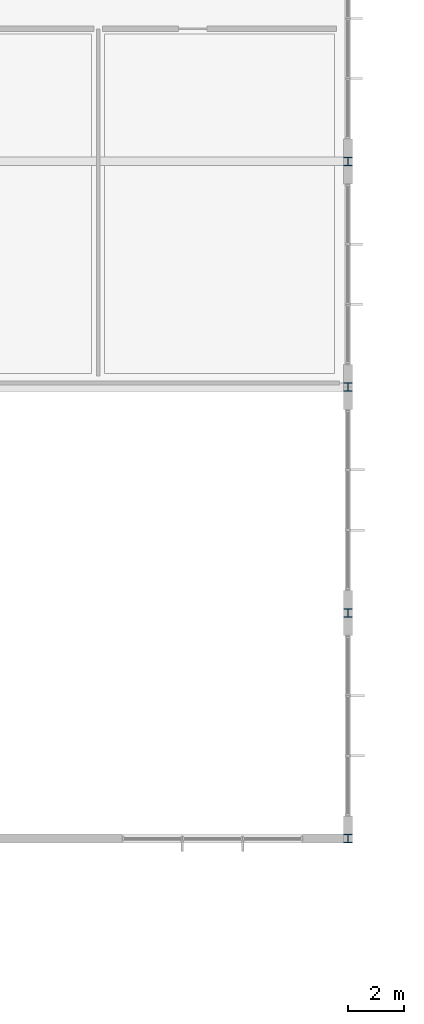
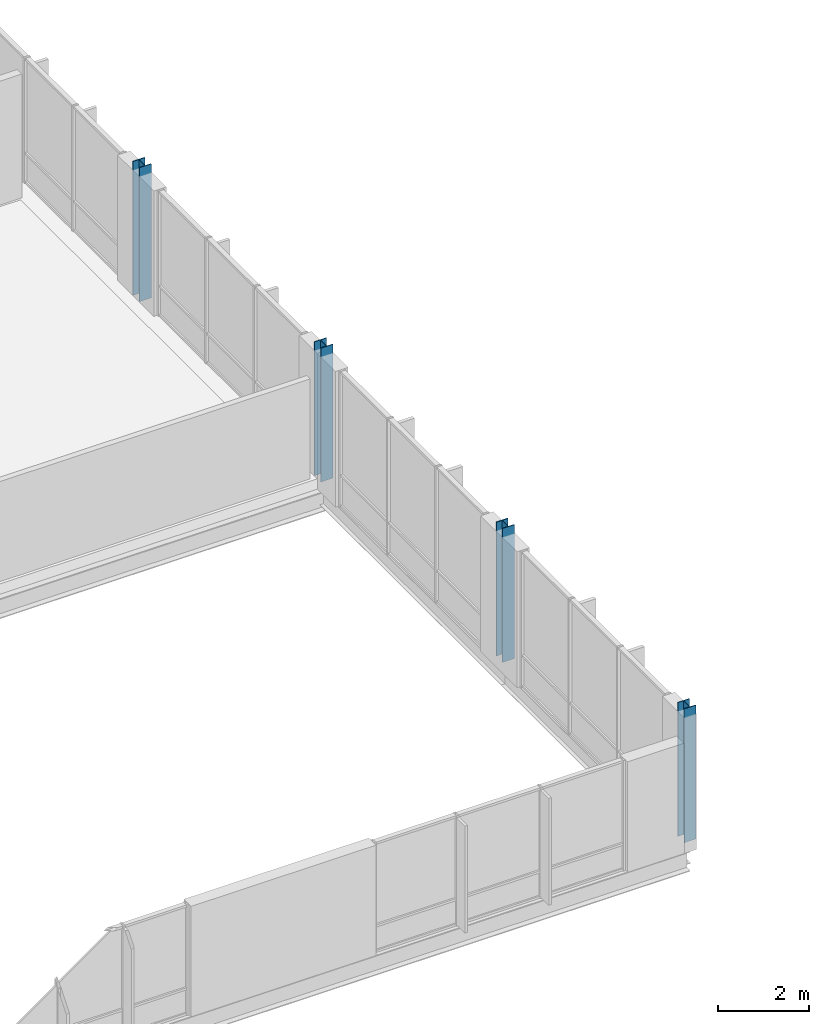
# One storey, part 13 of 189: 4 columns.
"""IFC4 building model written with IfcOpenShell, lengths in metres."""

from ifc_helpers import new_model, si_unit, direction, frame, origin, origin_2d, place, context, subcontext, project, spatial, i_section, extrude, material, material_profile, profile_set, type_object, element, save


model = new_model("IFC4")

# Units and contexts
model_context = context("Model", 3, precision=1e-05, world=origin(), true_north=direction((0.0, 1.0)))
body_context = subcontext(model_context, "Body", "Model", "MODEL_VIEW")
ifc_project = project(units=[si_unit("LENGTHUNIT", "METRE"), si_unit("AREAUNIT", "SQUARE_METRE"), si_unit("VOLUMEUNIT", "CUBIC_METRE"), si_unit("PLANEANGLEUNIT", "RADIAN"), si_unit("MASSUNIT", "GRAM", prefix="KILO")], contexts=[model_context])

# Site, building, storey
site_placement = place(None, origin())
site = spatial("IfcSite", under=ifc_project, at=site_placement, CompositionType="ELEMENT")
building_placement = place(site_placement, origin())
building = spatial("IfcBuilding", under=site, at=building_placement, Name="Zavelmont Quarter", CompositionType="ELEMENT")
storey_placement = place(building_placement, frame((0.0, 0.0, 4.39990234375)))
storey = spatial("IfcBuildingStorey", under=building, at=storey_placement, Name="L01", CompositionType="ELEMENT", Elevation=4.39990234375)

# Columns
ifc_material = material(Name="Steel S355", Category="steel")
ifc_material_profile = material_profile(ifc_material, i_section(OverallWidth=0.300048828125, OverallDepth=0.300048828125, WebThickness=0.010986328125, FlangeThickness=0.01904296875, at=origin_2d()), Name="HEB 300")
ifc_profile_set = profile_set([ifc_material_profile], Name="Steel S355")
column_type = type_object("IfcColumnType", Name="CL10", PredefinedType="COLUMN", material=ifc_profile_set)
for number, where, z_axis, x_axis, name in (
    (1, (168.0, 38.0, 0.0), (0.0, 0.0, 1.0), (1.0, 0.0, 0.0), "L01 column CL10 at 25/G"),
    (2, (168.0, 46.0, 0.0), (0.0, 0.0, 1.0), (1.0, 0.0, 0.0), "L01 column CL10 at 25/H"),
    (3, (168.0, 54.0, 0.0), (0.0, 0.0, 1.0), (1.0, 0.0, 0.0), "L01 column CL10 at 25/J"),
    (4, (168.0, 62.0, 0.0), (0.0, 0.0, 1.0), (1.0, 0.0, 0.0), "L01 column CL10 at 25/K"),
):
    element("IfcColumn", number, at=place(storey_placement, frame(where, z_axis=z_axis, x_axis=x_axis)), inside=storey, type_object=column_type, Name=name, PredefinedType="COLUMN", context=body_context, shape_type="SweptSolid", body=[
        extrude(i_section(OverallWidth=0.300048828125, OverallDepth=0.300048828125, WebThickness=0.010986328125, FlangeThickness=0.01904296875, at=origin_2d()), origin(), (0.0, 0.0, 1.0), 3.60009765625),
    ])

save(model, "model.ifc")
